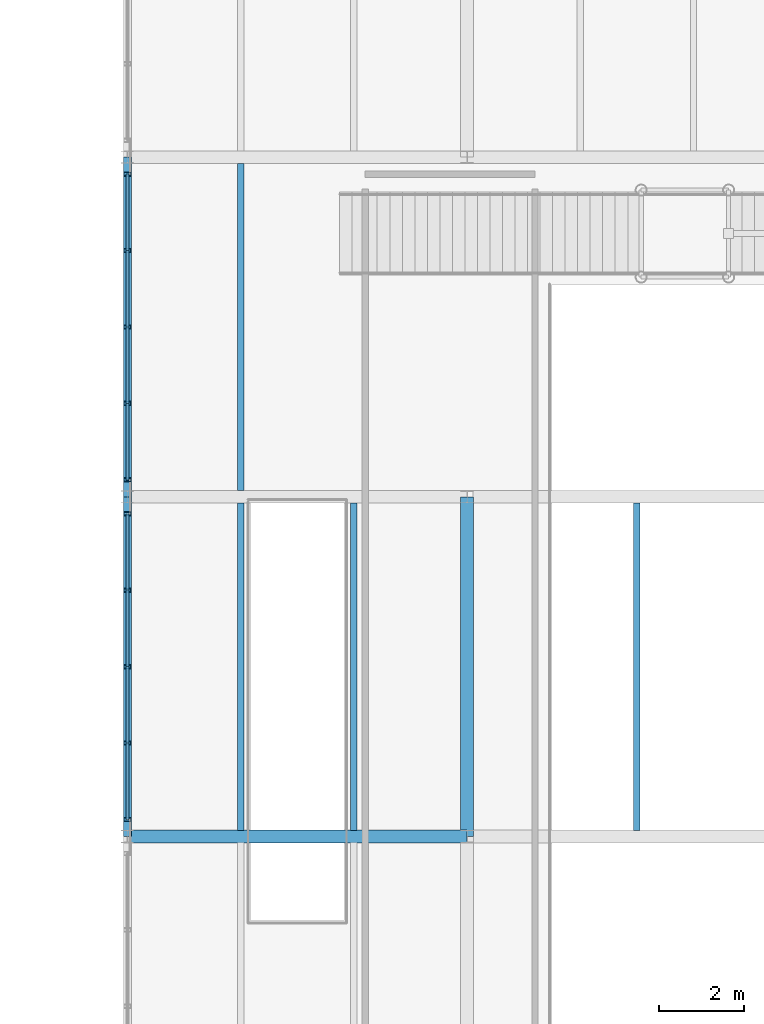
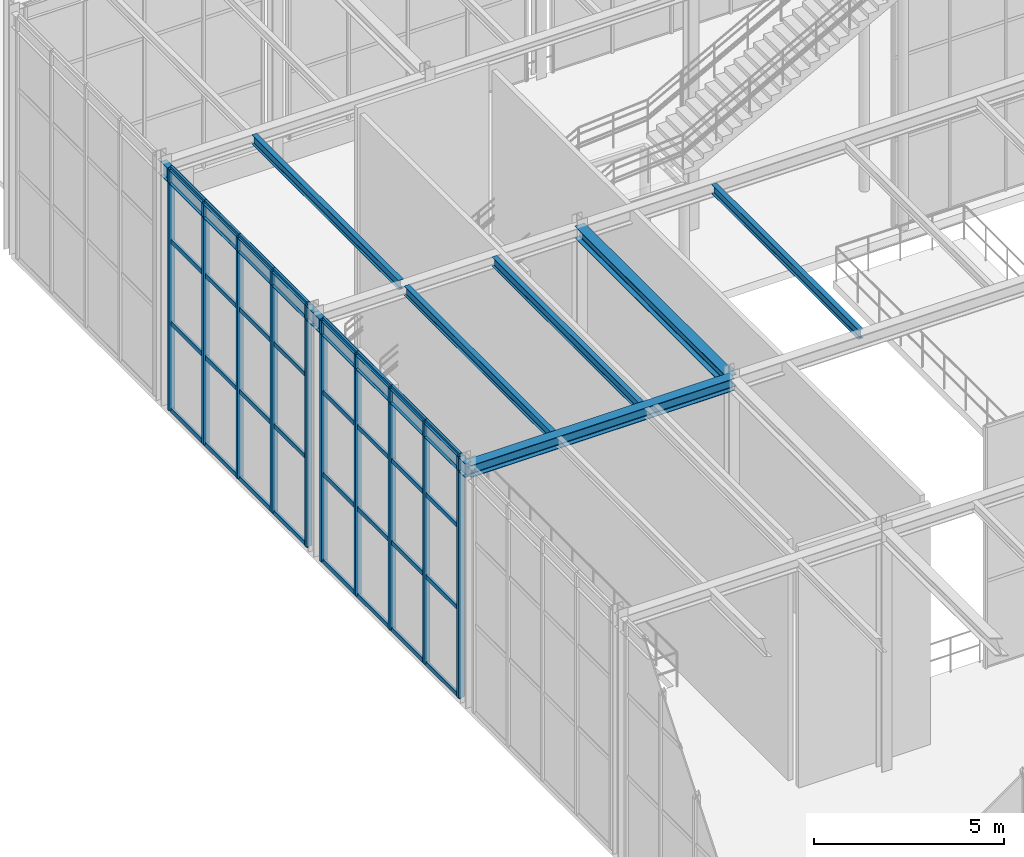
# One storey, part 40 of 138: 42 members, 8 beams, 2 elements without a shape of their own.
"""IFC4 building model written with IfcOpenShell, lengths in metres."""

from ifc_helpers import new_model, si_unit, direction, frame, origin, origin_2d, place, context, subcontext, project, spatial, hollow_rectangle, i_section, extrude, material, material_profile, profile_set, type_object, element, aggregate, save


model = new_model("IFC4")

# Units and contexts
model_context = context("Model", 3, precision=1e-05, world=origin(), true_north=direction((0.0, 1.0)))
body_context = subcontext(model_context, "Body", "Model", "MODEL_VIEW")
ifc_project = project(units=[si_unit("LENGTHUNIT", "METRE"), si_unit("AREAUNIT", "SQUARE_METRE"), si_unit("VOLUMEUNIT", "CUBIC_METRE"), si_unit("PLANEANGLEUNIT", "RADIAN"), si_unit("MASSUNIT", "GRAM", prefix="KILO")], contexts=[model_context])

# Site, building, storey
site_placement = place(None, origin())
site = spatial("IfcSite", under=ifc_project, at=site_placement, CompositionType="ELEMENT")
building_placement = place(site_placement, origin())
building = spatial("IfcBuilding", under=site, at=building_placement, Name="Sundkrona Museum", CompositionType="ELEMENT")
storey_placement = place(building_placement, frame((0.0, 0.0, 9.60009765625)))
storey = spatial("IfcBuildingStorey", under=building, at=storey_placement, Name="L02", CompositionType="ELEMENT", Elevation=9.60009765625)

# Beams
ifc_material_1 = material(Name="Steel S355J2", Category="steel")
ifc_material_profile_1 = material_profile(ifc_material_1, i_section(OverallWidth=0.300048828125, OverallDepth=0.389892578125, WebThickness=0.010986328125, FlangeThickness=0.01904296875, FilletRadius=0.027099609375, at=origin_2d()), Name="HEA 400")
ifc_profile_set_1 = profile_set([ifc_material_profile_1], Name="Steel S355J2")
beam_type_1 = type_object("IfcBeamType", Name="B-HEA400", PredefinedType="BEAM", material=ifc_profile_set_1)
for number, where, z_axis, x_axis, name in (
    (1, (80.0, 16.0, 7.544921875), (1.0, 0.0, 0.0), (0.0, 1.0, 0.0), "L02 Girder X-1139"),
    (2, (88.0, 16.0, 7.544921875), (0.0, 1.0, 0.0), (-1.0, 0.0, 0.0), "L02 Girder Y-1315"),
):
    element("IfcBeam", number, at=place(storey_placement, frame(where, z_axis=z_axis, x_axis=x_axis)), inside=storey, type_object=beam_type_1, Name=name, PredefinedType="BEAM", context=body_context, shape_type="SweptSolid", body=[
        extrude(i_section(OverallWidth=0.300048828125, OverallDepth=0.389892578125, WebThickness=0.010986328125, FlangeThickness=0.01904296875, FilletRadius=0.027099609375, at=origin_2d()), origin(), (0.0, 0.0, 1.0), 8.0),
    ])
ifc_material_profile_2 = material_profile(ifc_material_1, i_section(OverallWidth=0.14990234375, OverallDepth=0.300048828125, WebThickness=0.007080078125, FlangeThickness=0.0107421875, FilletRadius=0.014892578125, at=origin_2d()), Name="IPE 300")
ifc_profile_set_2 = profile_set([ifc_material_profile_2], Name="Steel S355J2")
beam_type_2 = type_object("IfcBeamType", Name="J-IPE300", PredefinedType="JOIST", material=ifc_profile_set_2)
for number, where, z_axis, x_axis, name in (
    (3, (82.666748046875, 16.14404296875, 7.58984375), (0.0, 1.0, 0.0), (-1.0, 0.0, 0.0), "L02 Composite Joist 0834"),
    (4, (85.333251953125, 16.14404296875, 7.58984375), (0.0, 1.0, 0.0), (-1.0, 0.0, 0.0), "L02 Composite Joist 0835"),
    (5, (82.666748046875, 24.14404296875, 7.58984375), (0.0, 1.0, 0.0), (-1.0, 0.0, 0.0), "L02 Composite Joist 0836"),
):
    element("IfcBeam", number, at=place(storey_placement, frame(where, z_axis=z_axis, x_axis=x_axis)), inside=storey, type_object=beam_type_2, Name=name, PredefinedType="JOIST", context=body_context, shape_type="SweptSolid", body=[
        extrude(i_section(OverallWidth=0.14990234375, OverallDepth=0.300048828125, WebThickness=0.007080078125, FlangeThickness=0.0107421875, FilletRadius=0.014892578125, at=origin_2d()), origin(), (0.0, 0.0, 1.0), 7.7119140625),
    ])
beam_placement = place(storey_placement, frame((92.0, 16.139892578125, 7.5849609375), z_axis=(0.0, 1.0, 0.0), x_axis=(-1.0, 0.0, 0.0)))
element("IfcBeam", 6, at=beam_placement, inside=storey, type_object=beam_type_2, Name="Atrium Level 03 Bridge Cross Beam X=92", PredefinedType="JOIST", context=body_context, shape_type="SweptSolid", body=[
    extrude(i_section(OverallWidth=0.14990234375, OverallDepth=0.300048828125, WebThickness=0.007080078125, FlangeThickness=0.0107421875, FilletRadius=0.014892578125, at=origin_2d()), origin(), (0.0, 0.0, 1.0), 7.72021484375),
])

# Curtain wall, members
ifc_material_2 = material(Name="Unitised Aluminium-Steel and Ceramic-Clad Curtain Walling", Category="steel")
curtain_wall_type = type_object("IfcCurtainWallType", Name="CW-AT-72x74", PredefinedType="NOTDEFINED", material=ifc_material_2)
curtain_wall_1_placement = place(storey_placement, origin())
curtain_wall_1 = element("IfcCurtainWall", 7, at=curtain_wall_1_placement, inside=storey, type_object=curtain_wall_type, Name="L02 Curtain Wall CW-L02-050", PredefinedType="NOTDEFINED")
ifc_material_3 = material(Name="Aluminium EN AW-6060 T66", Category="aluminium")
ifc_material_profile_3 = material_profile(ifc_material_3, hollow_rectangle(XDim=0.090087890625, YDim=0.179931640625, WallThickness=0.00634765625, at=origin_2d()), Name="RHS 180x90x6.3")
ifc_profile_set_3 = profile_set([ifc_material_profile_3], Name="Aluminium EN AW-6060 T66")
member_type_1 = type_object("IfcMemberType", Name="ML-180", PredefinedType="MULLION", material=ifc_profile_set_3)
member_1_placement = place(storey_placement, frame((80.0, 16.39990234375, -0.004150390625), z_axis=(0.0, 0.0, 1.0), x_axis=(0.0, 1.0, 0.0)))
member_1 = element("IfcMember", 8, at=member_1_placement, type_object=member_type_1, Name="CW-L02-050 Mullion 01", PredefinedType="MULLION", context=body_context, shape_type="SweptSolid", body=[
    extrude(hollow_rectangle(XDim=0.090087890625, YDim=0.179931640625, WallThickness=0.00634765625, at=origin_2d()), origin(), (0.0, 0.0, 1.0), 7.748046875),
])
member_2_placement = place(storey_placement, frame((80.0, 18.199951171875, -0.004150390625), z_axis=(0.0, 0.0, 1.0), x_axis=(0.0, 1.0, 0.0)))
member_2 = element("IfcMember", 9, at=member_2_placement, type_object=member_type_1, Name="CW-L02-050 Mullion 02", PredefinedType="MULLION", context=body_context, shape_type="SweptSolid", body=[
    extrude(hollow_rectangle(XDim=0.090087890625, YDim=0.179931640625, WallThickness=0.00634765625, at=origin_2d()), origin(), (0.0, 0.0, 1.0), 7.748046875),
])
member_3_placement = place(storey_placement, frame((80.0, 20.0, -0.004150390625), z_axis=(0.0, 0.0, 1.0), x_axis=(0.0, 1.0, 0.0)))
member_3 = element("IfcMember", 10, at=member_3_placement, type_object=member_type_1, Name="CW-L02-050 Mullion 03", PredefinedType="MULLION", context=body_context, shape_type="SweptSolid", body=[
    extrude(hollow_rectangle(XDim=0.090087890625, YDim=0.179931640625, WallThickness=0.00634765625, at=origin_2d()), origin(), (0.0, 0.0, 1.0), 7.748046875),
])
member_4_placement = place(storey_placement, frame((80.0, 21.800048828125, -0.004150390625), z_axis=(0.0, 0.0, 1.0), x_axis=(0.0, 1.0, 0.0)))
member_4 = element("IfcMember", 11, at=member_4_placement, type_object=member_type_1, Name="CW-L02-050 Mullion 04", PredefinedType="MULLION", context=body_context, shape_type="SweptSolid", body=[
    extrude(hollow_rectangle(XDim=0.090087890625, YDim=0.179931640625, WallThickness=0.00634765625, at=origin_2d()), origin(), (0.0, 0.0, 1.0), 7.748046875),
])
member_5_placement = place(storey_placement, frame((80.0, 23.60009765625, -0.004150390625), z_axis=(0.0, 0.0, 1.0), x_axis=(0.0, 1.0, 0.0)))
member_5 = element("IfcMember", 12, at=member_5_placement, type_object=member_type_1, Name="CW-L02-050 Mullion 05", PredefinedType="MULLION", context=body_context, shape_type="SweptSolid", body=[
    extrude(hollow_rectangle(XDim=0.090087890625, YDim=0.179931640625, WallThickness=0.00634765625, at=origin_2d()), origin(), (0.0, 0.0, 1.0), 7.748046875),
])

curtain_wall_2_placement = place(storey_placement, origin())
curtain_wall_2 = element("IfcCurtainWall", 13, at=curtain_wall_2_placement, inside=storey, type_object=curtain_wall_type, Name="L02 Curtain Wall CW-L02-051", PredefinedType="NOTDEFINED")
member_6_placement = place(storey_placement, frame((80.0, 24.39990234375, -0.004150390625), z_axis=(0.0, 0.0, 1.0), x_axis=(0.0, 1.0, 0.0)))
member_6 = element("IfcMember", 14, at=member_6_placement, type_object=member_type_1, Name="CW-L02-051 Mullion 01", PredefinedType="MULLION", context=body_context, shape_type="SweptSolid", body=[
    extrude(hollow_rectangle(XDim=0.090087890625, YDim=0.179931640625, WallThickness=0.00634765625, at=origin_2d()), origin(), (0.0, 0.0, 1.0), 7.748046875),
])
member_7_placement = place(storey_placement, frame((80.0, 26.199951171875, -0.004150390625), z_axis=(0.0, 0.0, 1.0), x_axis=(0.0, 1.0, 0.0)))
member_7 = element("IfcMember", 15, at=member_7_placement, type_object=member_type_1, Name="CW-L02-051 Mullion 02", PredefinedType="MULLION", context=body_context, shape_type="SweptSolid", body=[
    extrude(hollow_rectangle(XDim=0.090087890625, YDim=0.179931640625, WallThickness=0.00634765625, at=origin_2d()), origin(), (0.0, 0.0, 1.0), 7.748046875),
])
member_8_placement = place(storey_placement, frame((80.0, 28.0, -0.004150390625), z_axis=(0.0, 0.0, 1.0), x_axis=(0.0, 1.0, 0.0)))
member_8 = element("IfcMember", 16, at=member_8_placement, type_object=member_type_1, Name="CW-L02-051 Mullion 03", PredefinedType="MULLION", context=body_context, shape_type="SweptSolid", body=[
    extrude(hollow_rectangle(XDim=0.090087890625, YDim=0.179931640625, WallThickness=0.00634765625, at=origin_2d()), origin(), (0.0, 0.0, 1.0), 7.748046875),
])
member_9_placement = place(storey_placement, frame((80.0, 29.800048828125, -0.004150390625), z_axis=(0.0, 0.0, 1.0), x_axis=(0.0, 1.0, 0.0)))
member_9 = element("IfcMember", 17, at=member_9_placement, type_object=member_type_1, Name="CW-L02-051 Mullion 04", PredefinedType="MULLION", context=body_context, shape_type="SweptSolid", body=[
    extrude(hollow_rectangle(XDim=0.090087890625, YDim=0.179931640625, WallThickness=0.00634765625, at=origin_2d()), origin(), (0.0, 0.0, 1.0), 7.748046875),
])
member_10_placement = place(storey_placement, frame((80.0, 31.60009765625, -0.004150390625), z_axis=(0.0, 0.0, 1.0), x_axis=(0.0, 1.0, 0.0)))
member_10 = element("IfcMember", 18, at=member_10_placement, type_object=member_type_1, Name="CW-L02-051 Mullion 05", PredefinedType="MULLION", context=body_context, shape_type="SweptSolid", body=[
    extrude(hollow_rectangle(XDim=0.090087890625, YDim=0.179931640625, WallThickness=0.00634765625, at=origin_2d()), origin(), (0.0, 0.0, 1.0), 7.748046875),
])

# Beams
ifc_material_profile_4 = material_profile(ifc_material_1, i_section(OverallWidth=0.18994140625, OverallDepth=0.449951171875, WebThickness=0.009521484375, FlangeThickness=0.0146484375, FilletRadius=0.02099609375, at=origin_2d()), Name="IPE 450")
ifc_profile_set_4 = profile_set([ifc_material_profile_4], Name="Steel S355J2")
beam_type_3 = type_object("IfcBeamType", Name="SP-IPE450", PredefinedType="SPANDREL", material=ifc_profile_set_4)
for number, where, z_axis, x_axis, name in (
    (19, (80.0, 16.0, 7.514892578125), (0.0, 1.0, 0.0), (-1.0, 0.0, 0.0), "L02 Girder Y-1305"),
    (20, (80.0, 24.0, 7.514892578125), (0.0, 1.0, 0.0), (-1.0, 0.0, 0.0), "L02 Girder Y-1306"),
):
    element("IfcBeam", number, at=place(storey_placement, frame(where, z_axis=z_axis, x_axis=x_axis)), inside=storey, type_object=beam_type_3, Name=name, PredefinedType="SPANDREL", context=body_context, shape_type="SweptSolid", body=[
        extrude(i_section(OverallWidth=0.18994140625, OverallDepth=0.449951171875, WebThickness=0.009521484375, FlangeThickness=0.0146484375, FilletRadius=0.02099609375, at=origin_2d()), origin(), (0.0, 0.0, 1.0), 8.0),
    ])

# Member
ifc_material_profile_5 = material_profile(ifc_material_3, hollow_rectangle(XDim=0.070068359375, YDim=0.139892578125, WallThickness=0.0048828125, at=origin_2d()), Name="RHS 140x70x5.0")
ifc_profile_set_5 = profile_set([ifc_material_profile_5], Name="Aluminium EN AW-6060 T66")
member_type_2 = type_object("IfcMemberType", Name="TR-140", PredefinedType="USERDEFINED", material=ifc_profile_set_5)
member_11_placement = place(storey_placement, frame((80.0, 16.39990234375, -0.004150390625), z_axis=(0.0, 1.0, 0.0), x_axis=(-1.0, 0.0, 0.0)))
member_11 = element("IfcMember", 21, at=member_11_placement, type_object=member_type_2, Name="CW-L02-050 Transom 01", ObjectType="TRANSOM", PredefinedType="USERDEFINED", context=body_context, shape_type="SweptSolid", body=[
    extrude(hollow_rectangle(XDim=0.070068359375, YDim=0.139892578125, WallThickness=0.0048828125, at=origin_2d()), origin(), (0.0, 0.0, 1.0), 1.800048828125),
])

member_12_placement = place(storey_placement, frame((80.0, 16.39990234375, 2.785888671875), z_axis=(0.0, 1.0, 0.0), x_axis=(-1.0, 0.0, 0.0)))
member_12 = element("IfcMember", 22, at=member_12_placement, type_object=member_type_2, Name="CW-L02-050 Transom 02", ObjectType="TRANSOM", PredefinedType="USERDEFINED", context=body_context, shape_type="SweptSolid", body=[
    extrude(hollow_rectangle(XDim=0.070068359375, YDim=0.139892578125, WallThickness=0.0048828125, at=origin_2d()), origin(), (0.0, 0.0, 1.0), 1.800048828125),
])

member_13_placement = place(storey_placement, frame((80.0, 16.39990234375, 5.41796875), z_axis=(0.0, 1.0, 0.0), x_axis=(-1.0, 0.0, 0.0)))
member_13 = element("IfcMember", 23, at=member_13_placement, type_object=member_type_2, Name="CW-L02-050 Transom 03", ObjectType="TRANSOM", PredefinedType="USERDEFINED", context=body_context, shape_type="SweptSolid", body=[
    extrude(hollow_rectangle(XDim=0.070068359375, YDim=0.139892578125, WallThickness=0.0048828125, at=origin_2d()), origin(), (0.0, 0.0, 1.0), 1.800048828125),
])

member_14_placement = place(storey_placement, frame((80.0, 16.39990234375, 7.743896484375), z_axis=(0.0, 1.0, 0.0), x_axis=(-1.0, 0.0, 0.0)))
member_14 = element("IfcMember", 24, at=member_14_placement, type_object=member_type_2, Name="CW-L02-050 Transom 04", ObjectType="TRANSOM", PredefinedType="USERDEFINED", context=body_context, shape_type="SweptSolid", body=[
    extrude(hollow_rectangle(XDim=0.070068359375, YDim=0.139892578125, WallThickness=0.0048828125, at=origin_2d()), origin(), (0.0, 0.0, 1.0), 1.800048828125),
])

member_15_placement = place(storey_placement, frame((80.0, 18.199951171875, -0.004150390625), z_axis=(0.0, 1.0, 0.0), x_axis=(-1.0, 0.0, 0.0)))
member_15 = element("IfcMember", 25, at=member_15_placement, type_object=member_type_2, Name="CW-L02-050 Transom 05", ObjectType="TRANSOM", PredefinedType="USERDEFINED", context=body_context, shape_type="SweptSolid", body=[
    extrude(hollow_rectangle(XDim=0.070068359375, YDim=0.139892578125, WallThickness=0.0048828125, at=origin_2d()), origin(), (0.0, 0.0, 1.0), 1.800048828125),
])

member_16_placement = place(storey_placement, frame((80.0, 18.199951171875, 2.785888671875), z_axis=(0.0, 1.0, 0.0), x_axis=(-1.0, 0.0, 0.0)))
member_16 = element("IfcMember", 26, at=member_16_placement, type_object=member_type_2, Name="CW-L02-050 Transom 06", ObjectType="TRANSOM", PredefinedType="USERDEFINED", context=body_context, shape_type="SweptSolid", body=[
    extrude(hollow_rectangle(XDim=0.070068359375, YDim=0.139892578125, WallThickness=0.0048828125, at=origin_2d()), origin(), (0.0, 0.0, 1.0), 1.800048828125),
])

member_17_placement = place(storey_placement, frame((80.0, 18.199951171875, 5.41796875), z_axis=(0.0, 1.0, 0.0), x_axis=(-1.0, 0.0, 0.0)))
member_17 = element("IfcMember", 27, at=member_17_placement, type_object=member_type_2, Name="CW-L02-050 Transom 07", ObjectType="TRANSOM", PredefinedType="USERDEFINED", context=body_context, shape_type="SweptSolid", body=[
    extrude(hollow_rectangle(XDim=0.070068359375, YDim=0.139892578125, WallThickness=0.0048828125, at=origin_2d()), origin(), (0.0, 0.0, 1.0), 1.800048828125),
])

member_18_placement = place(storey_placement, frame((80.0, 18.199951171875, 7.743896484375), z_axis=(0.0, 1.0, 0.0), x_axis=(-1.0, 0.0, 0.0)))
member_18 = element("IfcMember", 28, at=member_18_placement, type_object=member_type_2, Name="CW-L02-050 Transom 08", ObjectType="TRANSOM", PredefinedType="USERDEFINED", context=body_context, shape_type="SweptSolid", body=[
    extrude(hollow_rectangle(XDim=0.070068359375, YDim=0.139892578125, WallThickness=0.0048828125, at=origin_2d()), origin(), (0.0, 0.0, 1.0), 1.800048828125),
])

member_19_placement = place(storey_placement, frame((80.0, 20.0, -0.004150390625), z_axis=(0.0, 1.0, 0.0), x_axis=(-1.0, 0.0, 0.0)))
member_19 = element("IfcMember", 29, at=member_19_placement, type_object=member_type_2, Name="CW-L02-050 Transom 09", ObjectType="TRANSOM", PredefinedType="USERDEFINED", context=body_context, shape_type="SweptSolid", body=[
    extrude(hollow_rectangle(XDim=0.070068359375, YDim=0.139892578125, WallThickness=0.0048828125, at=origin_2d()), origin(), (0.0, 0.0, 1.0), 1.800048828125),
])

member_20_placement = place(storey_placement, frame((80.0, 20.0, 2.785888671875), z_axis=(0.0, 1.0, 0.0), x_axis=(-1.0, 0.0, 0.0)))
member_20 = element("IfcMember", 30, at=member_20_placement, type_object=member_type_2, Name="CW-L02-050 Transom 10", ObjectType="TRANSOM", PredefinedType="USERDEFINED", context=body_context, shape_type="SweptSolid", body=[
    extrude(hollow_rectangle(XDim=0.070068359375, YDim=0.139892578125, WallThickness=0.0048828125, at=origin_2d()), origin(), (0.0, 0.0, 1.0), 1.800048828125),
])

member_21_placement = place(storey_placement, frame((80.0, 20.0, 5.41796875), z_axis=(0.0, 1.0, 0.0), x_axis=(-1.0, 0.0, 0.0)))
member_21 = element("IfcMember", 31, at=member_21_placement, type_object=member_type_2, Name="CW-L02-050 Transom 11", ObjectType="TRANSOM", PredefinedType="USERDEFINED", context=body_context, shape_type="SweptSolid", body=[
    extrude(hollow_rectangle(XDim=0.070068359375, YDim=0.139892578125, WallThickness=0.0048828125, at=origin_2d()), origin(), (0.0, 0.0, 1.0), 1.800048828125),
])

member_22_placement = place(storey_placement, frame((80.0, 20.0, 7.743896484375), z_axis=(0.0, 1.0, 0.0), x_axis=(-1.0, 0.0, 0.0)))
member_22 = element("IfcMember", 32, at=member_22_placement, type_object=member_type_2, Name="CW-L02-050 Transom 12", ObjectType="TRANSOM", PredefinedType="USERDEFINED", context=body_context, shape_type="SweptSolid", body=[
    extrude(hollow_rectangle(XDim=0.070068359375, YDim=0.139892578125, WallThickness=0.0048828125, at=origin_2d()), origin(), (0.0, 0.0, 1.0), 1.800048828125),
])

member_23_placement = place(storey_placement, frame((80.0, 21.800048828125, -0.004150390625), z_axis=(0.0, 1.0, 0.0), x_axis=(-1.0, 0.0, 0.0)))
member_23 = element("IfcMember", 33, at=member_23_placement, type_object=member_type_2, Name="CW-L02-050 Transom 13", ObjectType="TRANSOM", PredefinedType="USERDEFINED", context=body_context, shape_type="SweptSolid", body=[
    extrude(hollow_rectangle(XDim=0.070068359375, YDim=0.139892578125, WallThickness=0.0048828125, at=origin_2d()), origin(), (0.0, 0.0, 1.0), 1.800048828125),
])

member_24_placement = place(storey_placement, frame((80.0, 21.800048828125, 2.785888671875), z_axis=(0.0, 1.0, 0.0), x_axis=(-1.0, 0.0, 0.0)))
member_24 = element("IfcMember", 34, at=member_24_placement, type_object=member_type_2, Name="CW-L02-050 Transom 14", ObjectType="TRANSOM", PredefinedType="USERDEFINED", context=body_context, shape_type="SweptSolid", body=[
    extrude(hollow_rectangle(XDim=0.070068359375, YDim=0.139892578125, WallThickness=0.0048828125, at=origin_2d()), origin(), (0.0, 0.0, 1.0), 1.800048828125),
])

member_25_placement = place(storey_placement, frame((80.0, 21.800048828125, 5.41796875), z_axis=(0.0, 1.0, 0.0), x_axis=(-1.0, 0.0, 0.0)))
member_25 = element("IfcMember", 35, at=member_25_placement, type_object=member_type_2, Name="CW-L02-050 Transom 15", ObjectType="TRANSOM", PredefinedType="USERDEFINED", context=body_context, shape_type="SweptSolid", body=[
    extrude(hollow_rectangle(XDim=0.070068359375, YDim=0.139892578125, WallThickness=0.0048828125, at=origin_2d()), origin(), (0.0, 0.0, 1.0), 1.800048828125),
])

member_26_placement = place(storey_placement, frame((80.0, 21.800048828125, 7.743896484375), z_axis=(0.0, 1.0, 0.0), x_axis=(-1.0, 0.0, 0.0)))
member_26 = element("IfcMember", 36, at=member_26_placement, type_object=member_type_2, Name="CW-L02-050 Transom 16", ObjectType="TRANSOM", PredefinedType="USERDEFINED", context=body_context, shape_type="SweptSolid", body=[
    extrude(hollow_rectangle(XDim=0.070068359375, YDim=0.139892578125, WallThickness=0.0048828125, at=origin_2d()), origin(), (0.0, 0.0, 1.0), 1.800048828125),
])

aggregate(curtain_wall_1, [member_1, member_2, member_3, member_4, member_5, member_11, member_12, member_13, member_14, member_15, member_16, member_17, member_18, member_19, member_20, member_21, member_22, member_23, member_24, member_25, member_26])

member_27_placement = place(storey_placement, frame((80.0, 24.39990234375, -0.004150390625), z_axis=(0.0, 1.0, 0.0), x_axis=(-1.0, 0.0, 0.0)))
member_27 = element("IfcMember", 37, at=member_27_placement, type_object=member_type_2, Name="CW-L02-051 Transom 01", ObjectType="TRANSOM", PredefinedType="USERDEFINED", context=body_context, shape_type="SweptSolid", body=[
    extrude(hollow_rectangle(XDim=0.070068359375, YDim=0.139892578125, WallThickness=0.0048828125, at=origin_2d()), origin(), (0.0, 0.0, 1.0), 1.800048828125),
])

member_28_placement = place(storey_placement, frame((80.0, 24.39990234375, 2.785888671875), z_axis=(0.0, 1.0, 0.0), x_axis=(-1.0, 0.0, 0.0)))
member_28 = element("IfcMember", 38, at=member_28_placement, type_object=member_type_2, Name="CW-L02-051 Transom 02", ObjectType="TRANSOM", PredefinedType="USERDEFINED", context=body_context, shape_type="SweptSolid", body=[
    extrude(hollow_rectangle(XDim=0.070068359375, YDim=0.139892578125, WallThickness=0.0048828125, at=origin_2d()), origin(), (0.0, 0.0, 1.0), 1.800048828125),
])

member_29_placement = place(storey_placement, frame((80.0, 24.39990234375, 5.41796875), z_axis=(0.0, 1.0, 0.0), x_axis=(-1.0, 0.0, 0.0)))
member_29 = element("IfcMember", 39, at=member_29_placement, type_object=member_type_2, Name="CW-L02-051 Transom 03", ObjectType="TRANSOM", PredefinedType="USERDEFINED", context=body_context, shape_type="SweptSolid", body=[
    extrude(hollow_rectangle(XDim=0.070068359375, YDim=0.139892578125, WallThickness=0.0048828125, at=origin_2d()), origin(), (0.0, 0.0, 1.0), 1.800048828125),
])

member_30_placement = place(storey_placement, frame((80.0, 24.39990234375, 7.743896484375), z_axis=(0.0, 1.0, 0.0), x_axis=(-1.0, 0.0, 0.0)))
member_30 = element("IfcMember", 40, at=member_30_placement, type_object=member_type_2, Name="CW-L02-051 Transom 04", ObjectType="TRANSOM", PredefinedType="USERDEFINED", context=body_context, shape_type="SweptSolid", body=[
    extrude(hollow_rectangle(XDim=0.070068359375, YDim=0.139892578125, WallThickness=0.0048828125, at=origin_2d()), origin(), (0.0, 0.0, 1.0), 1.800048828125),
])

member_31_placement = place(storey_placement, frame((80.0, 26.199951171875, -0.004150390625), z_axis=(0.0, 1.0, 0.0), x_axis=(-1.0, 0.0, 0.0)))
member_31 = element("IfcMember", 41, at=member_31_placement, type_object=member_type_2, Name="CW-L02-051 Transom 05", ObjectType="TRANSOM", PredefinedType="USERDEFINED", context=body_context, shape_type="SweptSolid", body=[
    extrude(hollow_rectangle(XDim=0.070068359375, YDim=0.139892578125, WallThickness=0.0048828125, at=origin_2d()), origin(), (0.0, 0.0, 1.0), 1.800048828125),
])

member_32_placement = place(storey_placement, frame((80.0, 26.199951171875, 2.785888671875), z_axis=(0.0, 1.0, 0.0), x_axis=(-1.0, 0.0, 0.0)))
member_32 = element("IfcMember", 42, at=member_32_placement, type_object=member_type_2, Name="CW-L02-051 Transom 06", ObjectType="TRANSOM", PredefinedType="USERDEFINED", context=body_context, shape_type="SweptSolid", body=[
    extrude(hollow_rectangle(XDim=0.070068359375, YDim=0.139892578125, WallThickness=0.0048828125, at=origin_2d()), origin(), (0.0, 0.0, 1.0), 1.800048828125),
])

member_33_placement = place(storey_placement, frame((80.0, 26.199951171875, 5.41796875), z_axis=(0.0, 1.0, 0.0), x_axis=(-1.0, 0.0, 0.0)))
member_33 = element("IfcMember", 43, at=member_33_placement, type_object=member_type_2, Name="CW-L02-051 Transom 07", ObjectType="TRANSOM", PredefinedType="USERDEFINED", context=body_context, shape_type="SweptSolid", body=[
    extrude(hollow_rectangle(XDim=0.070068359375, YDim=0.139892578125, WallThickness=0.0048828125, at=origin_2d()), origin(), (0.0, 0.0, 1.0), 1.800048828125),
])

member_34_placement = place(storey_placement, frame((80.0, 26.199951171875, 7.743896484375), z_axis=(0.0, 1.0, 0.0), x_axis=(-1.0, 0.0, 0.0)))
member_34 = element("IfcMember", 44, at=member_34_placement, type_object=member_type_2, Name="CW-L02-051 Transom 08", ObjectType="TRANSOM", PredefinedType="USERDEFINED", context=body_context, shape_type="SweptSolid", body=[
    extrude(hollow_rectangle(XDim=0.070068359375, YDim=0.139892578125, WallThickness=0.0048828125, at=origin_2d()), origin(), (0.0, 0.0, 1.0), 1.800048828125),
])

member_35_placement = place(storey_placement, frame((80.0, 28.0, -0.004150390625), z_axis=(0.0, 1.0, 0.0), x_axis=(-1.0, 0.0, 0.0)))
member_35 = element("IfcMember", 45, at=member_35_placement, type_object=member_type_2, Name="CW-L02-051 Transom 09", ObjectType="TRANSOM", PredefinedType="USERDEFINED", context=body_context, shape_type="SweptSolid", body=[
    extrude(hollow_rectangle(XDim=0.070068359375, YDim=0.139892578125, WallThickness=0.0048828125, at=origin_2d()), origin(), (0.0, 0.0, 1.0), 1.800048828125),
])

member_36_placement = place(storey_placement, frame((80.0, 28.0, 2.785888671875), z_axis=(0.0, 1.0, 0.0), x_axis=(-1.0, 0.0, 0.0)))
member_36 = element("IfcMember", 46, at=member_36_placement, type_object=member_type_2, Name="CW-L02-051 Transom 10", ObjectType="TRANSOM", PredefinedType="USERDEFINED", context=body_context, shape_type="SweptSolid", body=[
    extrude(hollow_rectangle(XDim=0.070068359375, YDim=0.139892578125, WallThickness=0.0048828125, at=origin_2d()), origin(), (0.0, 0.0, 1.0), 1.800048828125),
])

member_37_placement = place(storey_placement, frame((80.0, 28.0, 5.41796875), z_axis=(0.0, 1.0, 0.0), x_axis=(-1.0, 0.0, 0.0)))
member_37 = element("IfcMember", 47, at=member_37_placement, type_object=member_type_2, Name="CW-L02-051 Transom 11", ObjectType="TRANSOM", PredefinedType="USERDEFINED", context=body_context, shape_type="SweptSolid", body=[
    extrude(hollow_rectangle(XDim=0.070068359375, YDim=0.139892578125, WallThickness=0.0048828125, at=origin_2d()), origin(), (0.0, 0.0, 1.0), 1.800048828125),
])

member_38_placement = place(storey_placement, frame((80.0, 28.0, 7.743896484375), z_axis=(0.0, 1.0, 0.0), x_axis=(-1.0, 0.0, 0.0)))
member_38 = element("IfcMember", 48, at=member_38_placement, type_object=member_type_2, Name="CW-L02-051 Transom 12", ObjectType="TRANSOM", PredefinedType="USERDEFINED", context=body_context, shape_type="SweptSolid", body=[
    extrude(hollow_rectangle(XDim=0.070068359375, YDim=0.139892578125, WallThickness=0.0048828125, at=origin_2d()), origin(), (0.0, 0.0, 1.0), 1.800048828125),
])

member_39_placement = place(storey_placement, frame((80.0, 29.800048828125, -0.004150390625), z_axis=(0.0, 1.0, 0.0), x_axis=(-1.0, 0.0, 0.0)))
member_39 = element("IfcMember", 49, at=member_39_placement, type_object=member_type_2, Name="CW-L02-051 Transom 13", ObjectType="TRANSOM", PredefinedType="USERDEFINED", context=body_context, shape_type="SweptSolid", body=[
    extrude(hollow_rectangle(XDim=0.070068359375, YDim=0.139892578125, WallThickness=0.0048828125, at=origin_2d()), origin(), (0.0, 0.0, 1.0), 1.800048828125),
])

member_40_placement = place(storey_placement, frame((80.0, 29.800048828125, 2.785888671875), z_axis=(0.0, 1.0, 0.0), x_axis=(-1.0, 0.0, 0.0)))
member_40 = element("IfcMember", 50, at=member_40_placement, type_object=member_type_2, Name="CW-L02-051 Transom 14", ObjectType="TRANSOM", PredefinedType="USERDEFINED", context=body_context, shape_type="SweptSolid", body=[
    extrude(hollow_rectangle(XDim=0.070068359375, YDim=0.139892578125, WallThickness=0.0048828125, at=origin_2d()), origin(), (0.0, 0.0, 1.0), 1.800048828125),
])

member_41_placement = place(storey_placement, frame((80.0, 29.800048828125, 5.41796875), z_axis=(0.0, 1.0, 0.0), x_axis=(-1.0, 0.0, 0.0)))
member_41 = element("IfcMember", 51, at=member_41_placement, type_object=member_type_2, Name="CW-L02-051 Transom 15", ObjectType="TRANSOM", PredefinedType="USERDEFINED", context=body_context, shape_type="SweptSolid", body=[
    extrude(hollow_rectangle(XDim=0.070068359375, YDim=0.139892578125, WallThickness=0.0048828125, at=origin_2d()), origin(), (0.0, 0.0, 1.0), 1.800048828125),
])

member_42_placement = place(storey_placement, frame((80.0, 29.800048828125, 7.743896484375), z_axis=(0.0, 1.0, 0.0), x_axis=(-1.0, 0.0, 0.0)))
member_42 = element("IfcMember", 52, at=member_42_placement, type_object=member_type_2, Name="CW-L02-051 Transom 16", ObjectType="TRANSOM", PredefinedType="USERDEFINED", context=body_context, shape_type="SweptSolid", body=[
    extrude(hollow_rectangle(XDim=0.070068359375, YDim=0.139892578125, WallThickness=0.0048828125, at=origin_2d()), origin(), (0.0, 0.0, 1.0), 1.800048828125),
])

aggregate(curtain_wall_2, [member_6, member_7, member_8, member_9, member_10, member_27, member_28, member_29, member_30, member_31, member_32, member_33, member_34, member_35, member_36, member_37, member_38, member_39, member_40, member_41, member_42])

save(model, "model.ifc")
